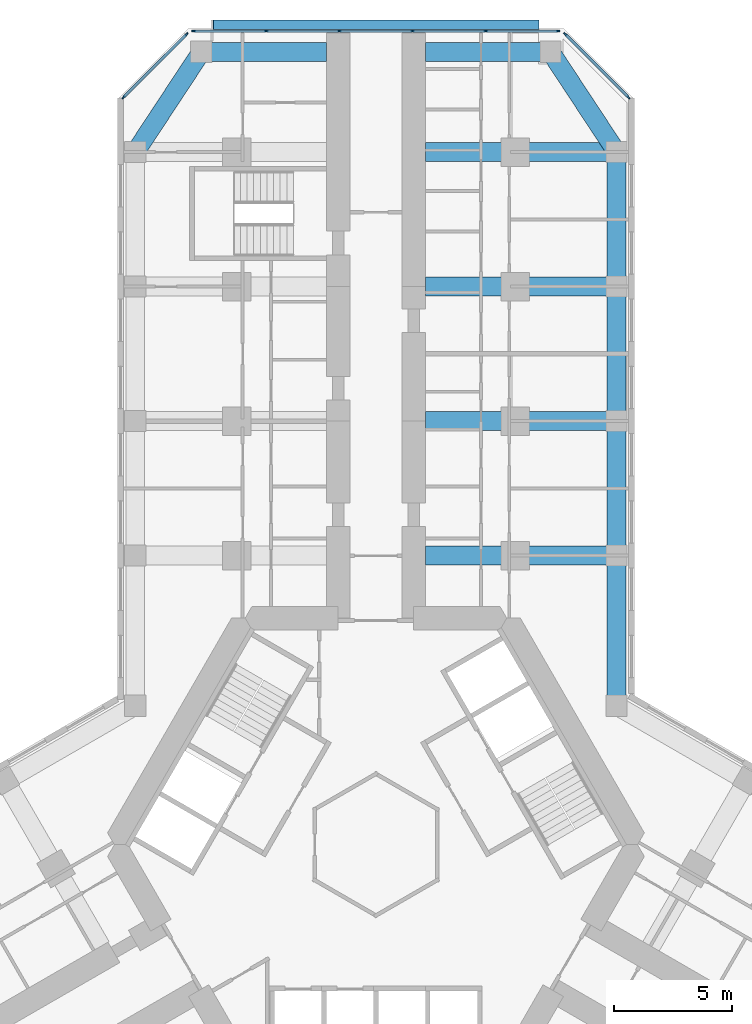
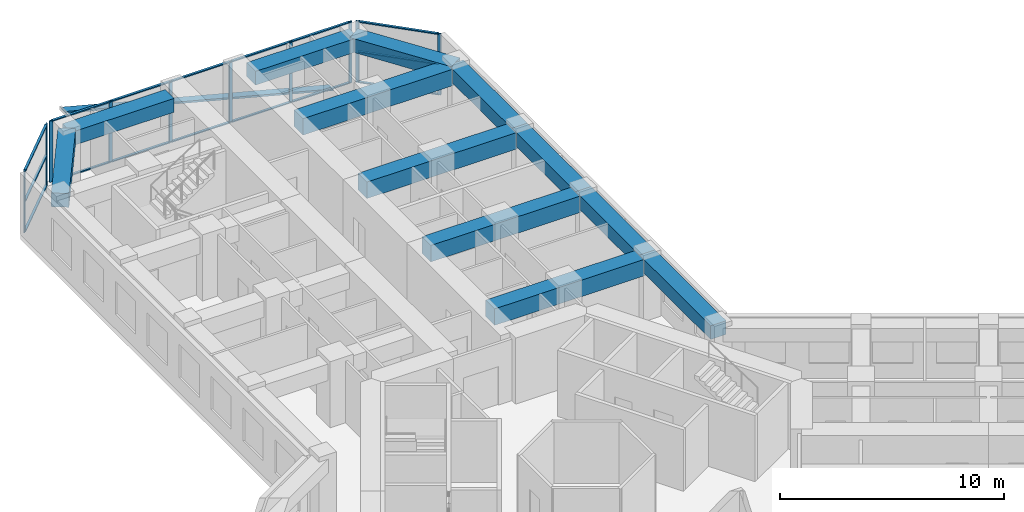
# One storey, part 7 of 21: 27 members, 12 beams, 3 elements without a shape of their own.
"""IFC4 building model written with IfcOpenShell, lengths in metres."""

from ifc_helpers import new_model, si_unit, direction, frame, origin, origin_2d, place, context, subcontext, project, spatial, rectangle, extrude, material, material_profile, profile_set, type_object, element, aggregate, save


model = new_model("IFC4")

# Units and contexts
model_context = context("Model", 3, precision=1e-05, world=origin(), true_north=direction((0.0, 1.0)))
body_context = subcontext(model_context, "Body", "Model", "MODEL_VIEW")
ifc_project = project(units=[si_unit("LENGTHUNIT", "METRE"), si_unit("AREAUNIT", "SQUARE_METRE"), si_unit("VOLUMEUNIT", "CUBIC_METRE"), si_unit("PLANEANGLEUNIT", "RADIAN"), si_unit("MASSUNIT", "GRAM", prefix="KILO")], contexts=[model_context])

# Site, building, storey
site_placement = place(None, origin())
site = spatial("IfcSite", under=ifc_project, at=site_placement, CompositionType="ELEMENT")
building_placement = place(site_placement, origin())
building = spatial("IfcBuilding", under=site, at=building_placement, Name="Kosmar Iwan School Tower", CompositionType="ELEMENT")
storey_placement = place(building_placement, frame((0.0, 0.0, 84.39990234375)))
storey = spatial("IfcBuildingStorey", under=building, at=storey_placement, Name="L20", CompositionType="ELEMENT", Elevation=84.39990234375)

# Member
ifc_material_1 = material(Name="Black anodised aluminium", Category="aluminium")
ifc_material_profile_1 = material_profile(ifc_material_1, rectangle(XDim=0.10009765625, YDim=0.39990234375, at=origin_2d()), Name="FIN 100x400")
ifc_profile_set_1 = profile_set([ifc_material_profile_1], Name="Black anodised aluminium")
member_type_1 = type_object("IfcMemberType", Name="Diagonal fin 100x400", PredefinedType="USERDEFINED", material=ifc_profile_set_1)
member_1_placement = place(storey_placement, frame((6.898193359375, 34.75, -0.14990234375), z_axis=(-0.967599450335, 0.0, 0.252490205179), x_axis=(0.252490205179, 0.0, 0.967599450335)))
element("IfcMember", 1, at=member_1_placement, inside=storey, type_object=member_type_1, Name="Diagonal fin L20-F08", ObjectType="FIN", PredefinedType="USERDEFINED", context=body_context, shape_type="SweptSolid", body=[
    extrude(rectangle(XDim=0.10009765625, YDim=0.39990234375, at=origin_2d()), origin(), (0.0, 0.0, 1.0), 14.25830078125),
])

# Curtain wall, members
ifc_material_2 = material(Name="Dark glass in black aluminium frame", Category="aluminium")
curtain_wall_type_1 = type_object("IfcCurtainWallType", Name="Chamfer curtain wall dark glass", PredefinedType="USERDEFINED", material=ifc_material_2)
curtain_wall_1_placement = place(storey_placement, origin())
curtain_wall_1 = element("IfcCurtainWall", 2, at=curtain_wall_1_placement, inside=storey, type_object=curtain_wall_type_1, Name="Curtain wall L20-F07", ObjectType="FACETED CURTAIN WALL", PredefinedType="USERDEFINED")
ifc_material_3 = material(Name="Black anodised aluminium", Category="aluminium")
ifc_material_profile_2 = material_profile(ifc_material_3, rectangle(XDim=0.06005859375, YDim=0.159912109375, at=origin_2d()), Name="MULLION 60x160")
ifc_profile_set_2 = profile_set([ifc_material_profile_2], Name="Black anodised aluminium")
member_type_2 = type_object("IfcMemberType", Name="Mullion 60x160", PredefinedType="MULLION", material=ifc_profile_set_2)
member_2_placement = place(storey_placement, frame((10.69775390625, 31.675537109375, 0.0), z_axis=(0.0, 0.0, 1.0), x_axis=(-0.707106781187, -0.707106781187, 0.0)))
member_2 = element("IfcMember", 3, at=member_2_placement, type_object=member_type_2, Name="CW2 mullion 1", PredefinedType="MULLION", context=body_context, shape_type="SweptSolid", body=[
    extrude(rectangle(XDim=0.06005859375, YDim=0.159912109375, at=origin_2d()), origin(), (0.0, 0.0, 1.0), 3.35009765625),
])
member_3_placement = place(storey_placement, frame((8.025390625, 34.34765625, 0.0), z_axis=(0.0, 0.0, 1.0), x_axis=(-0.707106781187, -0.707106781187, 0.0)))
member_3 = element("IfcMember", 4, at=member_3_placement, type_object=member_type_2, Name="CW2 mullion 2", PredefinedType="MULLION", context=body_context, shape_type="SweptSolid", body=[
    extrude(rectangle(XDim=0.06005859375, YDim=0.159912109375, at=origin_2d()), origin(), (0.0, 0.0, 1.0), 3.35009765625),
])

ifc_material_4 = material(Name="Dark glass in black aluminium frame", Category="aluminium")
curtain_wall_type_2 = type_object("IfcCurtainWallType", Name="Tower curtain wall dark glass", PredefinedType="USERDEFINED", material=ifc_material_4)
curtain_wall_2_placement = place(storey_placement, origin())
curtain_wall_2 = element("IfcCurtainWall", 5, at=curtain_wall_2_placement, inside=storey, type_object=curtain_wall_type_2, Name="Curtain wall L20-F08", ObjectType="UNITISED CURTAIN WALL", PredefinedType="USERDEFINED")
member_4_placement = place(storey_placement, frame((7.71826171875, 34.47509765625, 0.0), z_axis=(0.0, 0.0, 1.0), x_axis=(0.0, -1.0, 0.0)))
member_4 = element("IfcMember", 6, at=member_4_placement, type_object=member_type_2, Name="CW1 mullion 1", PredefinedType="MULLION", context=body_context, shape_type="SweptSolid", body=[
    extrude(rectangle(XDim=0.06005859375, YDim=0.159912109375, at=origin_2d()), origin(), (0.0, 0.0, 1.0), 3.35009765625),
])
member_5_placement = place(storey_placement, frame((4.64892578125, 34.47509765625, 0.0), z_axis=(0.0, 0.0, 1.0), x_axis=(0.0, -1.0, 0.0)))
member_5 = element("IfcMember", 7, at=member_5_placement, type_object=member_type_2, Name="CW1 mullion 2", PredefinedType="MULLION", context=body_context, shape_type="SweptSolid", body=[
    extrude(rectangle(XDim=0.06005859375, YDim=0.159912109375, at=origin_2d()), origin(), (0.0, 0.0, 1.0), 3.35009765625),
])
member_6_placement = place(storey_placement, frame((1.549560546875, 34.47509765625, 0.0), z_axis=(0.0, 0.0, 1.0), x_axis=(0.0, -1.0, 0.0)))
member_6 = element("IfcMember", 8, at=member_6_placement, type_object=member_type_2, Name="CW1 mullion 3", PredefinedType="MULLION", context=body_context, shape_type="SweptSolid", body=[
    extrude(rectangle(XDim=0.06005859375, YDim=0.159912109375, at=origin_2d()), origin(), (0.0, 0.0, 1.0), 3.35009765625),
])
member_7_placement = place(storey_placement, frame((-1.549560546875, 34.47509765625, 0.0), z_axis=(0.0, 0.0, 1.0), x_axis=(0.0, -1.0, 0.0)))
member_7 = element("IfcMember", 9, at=member_7_placement, type_object=member_type_2, Name="CW1 mullion 4", PredefinedType="MULLION", context=body_context, shape_type="SweptSolid", body=[
    extrude(rectangle(XDim=0.06005859375, YDim=0.159912109375, at=origin_2d()), origin(), (0.0, 0.0, 1.0), 3.35009765625),
])
member_8_placement = place(storey_placement, frame((-4.64892578125, 34.47509765625, 0.0), z_axis=(0.0, 0.0, 1.0), x_axis=(0.0, -1.0, 0.0)))
member_8 = element("IfcMember", 10, at=member_8_placement, type_object=member_type_2, Name="CW1 mullion 5", PredefinedType="MULLION", context=body_context, shape_type="SweptSolid", body=[
    extrude(rectangle(XDim=0.06005859375, YDim=0.159912109375, at=origin_2d()), origin(), (0.0, 0.0, 1.0), 3.35009765625),
])
member_9_placement = place(storey_placement, frame((-7.71826171875, 34.47509765625, 0.0), z_axis=(0.0, 0.0, 1.0), x_axis=(0.0, -1.0, 0.0)))
member_9 = element("IfcMember", 11, at=member_9_placement, type_object=member_type_2, Name="CW1 mullion 6", PredefinedType="MULLION", context=body_context, shape_type="SweptSolid", body=[
    extrude(rectangle(XDim=0.06005859375, YDim=0.159912109375, at=origin_2d()), origin(), (0.0, 0.0, 1.0), 3.35009765625),
])

curtain_wall_3_placement = place(storey_placement, origin())
curtain_wall_3 = element("IfcCurtainWall", 12, at=curtain_wall_3_placement, inside=storey, type_object=curtain_wall_type_1, Name="Curtain wall L20-F09", ObjectType="FACETED CURTAIN WALL", PredefinedType="USERDEFINED")
member_10_placement = place(storey_placement, frame((-8.025390625, 34.34765625, 0.0), z_axis=(0.0, 0.0, 1.0), x_axis=(0.707106781187, -0.707106781187, 0.0)))
member_10 = element("IfcMember", 13, at=member_10_placement, type_object=member_type_2, Name="CW2 mullion 1", PredefinedType="MULLION", context=body_context, shape_type="SweptSolid", body=[
    extrude(rectangle(XDim=0.06005859375, YDim=0.159912109375, at=origin_2d()), origin(), (0.0, 0.0, 1.0), 3.35009765625),
])
member_11_placement = place(storey_placement, frame((-10.69775390625, 31.675537109375, 0.0), z_axis=(0.0, 0.0, 1.0), x_axis=(0.707106781187, -0.707106781187, 0.0)))
member_11 = element("IfcMember", 14, at=member_11_placement, type_object=member_type_2, Name="CW2 mullion 2", PredefinedType="MULLION", context=body_context, shape_type="SweptSolid", body=[
    extrude(rectangle(XDim=0.06005859375, YDim=0.159912109375, at=origin_2d()), origin(), (0.0, 0.0, 1.0), 3.35009765625),
])

# Beams
ifc_material_5 = material(Name="Concrete C50/60", Category="concrete")
ifc_material_profile_3 = material_profile(ifc_material_5, rectangle(XDim=0.800048828125, YDim=0.75, at=origin_2d()), Name="RC 800x750")
ifc_profile_set_3 = profile_set([ifc_material_profile_3], Name="Concrete C50/60")
beam_type_1 = type_object("IfcBeamType", Name="RC edge beam 800x750", PredefinedType="BEAM", material=ifc_profile_set_3)
beam_1_placement = place(storey_placement, frame((10.199951171875, 5.888916015625, 2.97509765625), z_axis=(0.0, 1.0, 0.0), x_axis=(-1.0, 0.0, 0.0)))
element("IfcBeam", 15, at=beam_1_placement, inside=storey, type_object=beam_type_1, Name="Edge beam AR1", PredefinedType="BEAM", context=body_context, shape_type="SweptSolid", body=[
    extrude(rectangle(XDim=0.800048828125, YDim=0.75, at=origin_2d()), origin(), (0.0, 0.0, 1.0), 6.361083984375),
])
for number, where, z_axis, x_axis, name in (
    (16, (10.199951171875, 12.25, 2.97509765625), (0.0, 1.0, 0.0), (-1.0, 0.0, 0.0), "Edge beam AR2"),
    (17, (10.199951171875, 17.949951171875, 2.97509765625), (0.0, 1.0, 0.0), (-1.0, 0.0, 0.0), "Edge beam AR3"),
):
    element("IfcBeam", number, at=place(storey_placement, frame(where, z_axis=z_axis, x_axis=x_axis)), inside=storey, type_object=beam_type_1, Name=name, PredefinedType="BEAM", context=body_context, shape_type="SweptSolid", body=[
        extrude(rectangle(XDim=0.800048828125, YDim=0.75, at=origin_2d()), origin(), (0.0, 0.0, 1.0), 5.699951171875),
    ])
beam_2_placement = place(storey_placement, frame((10.199951171875, 23.64990234375, 2.97509765625), z_axis=(0.0, 1.0, 0.0), x_axis=(-1.0, 0.0, 0.0)))
element("IfcBeam", 18, at=beam_2_placement, inside=storey, type_object=beam_type_1, Name="Edge beam AR4", PredefinedType="BEAM", context=body_context, shape_type="SweptSolid", body=[
    extrude(rectangle(XDim=0.800048828125, YDim=0.75, at=origin_2d()), origin(), (0.0, 0.0, 1.0), 5.7001953125),
])
ifc_material_6 = material(Name="Concrete C50/60", Category="concrete")
ifc_material_profile_4 = material_profile(ifc_material_6, rectangle(XDim=0.800048828125, YDim=0.75, at=origin_2d()), Name="RC 800x750")
ifc_profile_set_4 = profile_set([ifc_material_profile_4], Name="Concrete C50/60")
beam_type_2 = type_object("IfcBeamType", Name="RC tip beam 800x750", PredefinedType="BEAM", material=ifc_profile_set_4)
beam_3_placement = place(storey_placement, frame((-10.199951171875, 29.35009765625, 2.97509765625), z_axis=(0.550164383043, 0.835056376319, 0.0), x_axis=(-0.835056376319, 0.550164383043, 0.0)))
element("IfcBeam", 19, at=beam_3_placement, inside=storey, type_object=beam_type_2, Name="Tip beam AL", PredefinedType="BEAM", context=body_context, shape_type="SweptSolid", body=[
    extrude(rectangle(XDim=0.800048828125, YDim=0.75, at=origin_2d()), origin(), (0.0, 0.0, 1.0), 5.08935546875),
])
beam_4_placement = place(storey_placement, frame((-7.39990234375, 33.60009765625, 2.97509765625), z_axis=(1.0, 0.0, 0.0), x_axis=(0.0, 1.0, 0.0)))
element("IfcBeam", 20, at=beam_4_placement, inside=storey, type_object=beam_type_2, Name="Tip beam AL to corridor wall", PredefinedType="BEAM", context=body_context, shape_type="SweptSolid", body=[
    extrude(rectangle(XDim=0.800048828125, YDim=0.75, at=origin_2d()), origin(), (0.0, 0.0, 1.0), 5.2998046875),
])
beam_5_placement = place(storey_placement, frame((10.199951171875, 29.35009765625, 2.97509765625), z_axis=(-0.550164383043, 0.835056376319, 0.0), x_axis=(-0.835056376319, -0.550164383043, 0.0)))
element("IfcBeam", 21, at=beam_5_placement, inside=storey, type_object=beam_type_2, Name="Tip beam AR", PredefinedType="BEAM", context=body_context, shape_type="SweptSolid", body=[
    extrude(rectangle(XDim=0.800048828125, YDim=0.75, at=origin_2d()), origin(), (0.0, 0.0, 1.0), 5.08935546875),
])
beam_6_placement = place(storey_placement, frame((7.39990234375, 33.60009765625, 2.97509765625), z_axis=(-1.0, 0.0, 0.0), x_axis=(0.0, -1.0, 0.0)))
element("IfcBeam", 22, at=beam_6_placement, inside=storey, type_object=beam_type_2, Name="Tip beam AR to corridor wall", PredefinedType="BEAM", context=body_context, shape_type="SweptSolid", body=[
    extrude(rectangle(XDim=0.800048828125, YDim=0.75, at=origin_2d()), origin(), (0.0, 0.0, 1.0), 5.2998046875),
])
ifc_material_7 = material(Name="Concrete C50/60", Category="concrete")
ifc_material_profile_5 = material_profile(ifc_material_7, rectangle(XDim=0.800048828125, YDim=0.89990234375, at=origin_2d()), Name="RC 800x900")
ifc_profile_set_5 = profile_set([ifc_material_profile_5], Name="Concrete C50/60")
beam_type_3 = type_object("IfcBeamType", Name="RC transverse beam 800x900", PredefinedType="BEAM", material=ifc_profile_set_5)
for number, where, z_axis, x_axis, name in (
    (23, (10.199951171875, 12.25, 2.900146484375), (-1.0, 0.0, 0.0), (0.0, -1.0, 0.0), "Transverse beam AR1"),
    (24, (10.199951171875, 17.949951171875, 2.900146484375), (-1.0, 0.0, 0.0), (0.0, -1.0, 0.0), "Transverse beam AR2"),
    (25, (10.199951171875, 23.64990234375, 2.900146484375), (-1.0, 0.0, 0.0), (0.0, -1.0, 0.0), "Transverse beam AR3"),
    (26, (10.199951171875, 29.35009765625, 2.900146484375), (-1.0, 0.0, 0.0), (0.0, -1.0, 0.0), "Transverse beam AR4"),
):
    element("IfcBeam", number, at=place(storey_placement, frame(where, z_axis=z_axis, x_axis=x_axis)), inside=storey, type_object=beam_type_3, Name=name, PredefinedType="BEAM", context=body_context, shape_type="SweptSolid", body=[
        extrude(rectangle(XDim=0.800048828125, YDim=0.89990234375, at=origin_2d()), origin(), (0.0, 0.0, 1.0), 8.099853515625),
    ])

# Member
ifc_material_8 = material(Name="Black anodised aluminium", Category="aluminium")
ifc_material_profile_6 = material_profile(ifc_material_8, rectangle(XDim=0.1201171875, YDim=0.06005859375, at=origin_2d()), Name="TRANSOM 60x120")
ifc_profile_set_6 = profile_set([ifc_material_profile_6], Name="Black anodised aluminium")
member_type_3 = type_object("IfcMemberType", Name="Transom 60x120", PredefinedType="USERDEFINED", material=ifc_profile_set_6)
member_12_placement = place(storey_placement, frame((10.676513671875, 31.69677734375, 0.030029296875), z_axis=(-0.707139603466, 0.707073957383, 0.0), x_axis=(-0.707073957383, -0.707139603466, 0.0)))
member_12 = element("IfcMember", 27, at=member_12_placement, type_object=member_type_3, Name="CW2 transom 1.1", ObjectType="TRANSOM", PredefinedType="USERDEFINED", context=body_context, shape_type="SweptSolid", body=[
    extrude(rectangle(XDim=0.1201171875, YDim=0.06005859375, at=origin_2d()), origin(), (0.0, 0.0, 1.0), 3.718994140625),
])

member_13_placement = place(storey_placement, frame((10.676513671875, 31.69677734375, 1.675048828125), z_axis=(-0.707139603466, 0.707073957383, 0.0), x_axis=(-0.707073957383, -0.707139603466, 0.0)))
member_13 = element("IfcMember", 28, at=member_13_placement, type_object=member_type_3, Name="CW2 transom 1.2", ObjectType="TRANSOM", PredefinedType="USERDEFINED", context=body_context, shape_type="SweptSolid", body=[
    extrude(rectangle(XDim=0.1201171875, YDim=0.06005859375, at=origin_2d()), origin(), (0.0, 0.0, 1.0), 3.718994140625),
])

member_14_placement = place(storey_placement, frame((10.676513671875, 31.69677734375, 3.320068359375), z_axis=(-0.707139603466, 0.707073957383, 0.0), x_axis=(-0.707073957383, -0.707139603466, 0.0)))
member_14 = element("IfcMember", 29, at=member_14_placement, type_object=member_type_3, Name="CW2 transom 1.3", ObjectType="TRANSOM", PredefinedType="USERDEFINED", context=body_context, shape_type="SweptSolid", body=[
    extrude(rectangle(XDim=0.1201171875, YDim=0.06005859375, at=origin_2d()), origin(), (0.0, 0.0, 1.0), 3.718994140625),
])

aggregate(curtain_wall_1, [member_2, member_3, member_12, member_13, member_14])

member_15_placement = place(storey_placement, frame((7.688232421875, 34.47509765625, 0.030029296875), z_axis=(-1.0, 0.0, 0.0), x_axis=(0.0, -1.0, 0.0)))
member_15 = element("IfcMember", 30, at=member_15_placement, type_object=member_type_3, Name="CW1 transom 1.1", ObjectType="TRANSOM", PredefinedType="USERDEFINED", context=body_context, shape_type="SweptSolid", body=[
    extrude(rectangle(XDim=0.1201171875, YDim=0.06005859375, at=origin_2d()), origin(), (0.0, 0.0, 1.0), 3.00927734375),
])

member_16_placement = place(storey_placement, frame((7.688232421875, 34.47509765625, 3.320068359375), z_axis=(-1.0, 0.0, 0.0), x_axis=(0.0, -1.0, 0.0)))
member_16 = element("IfcMember", 31, at=member_16_placement, type_object=member_type_3, Name="CW1 transom 1.2", ObjectType="TRANSOM", PredefinedType="USERDEFINED", context=body_context, shape_type="SweptSolid", body=[
    extrude(rectangle(XDim=0.1201171875, YDim=0.06005859375, at=origin_2d()), origin(), (0.0, 0.0, 1.0), 3.00927734375),
])

member_17_placement = place(storey_placement, frame((4.618896484375, 34.47509765625, 0.030029296875), z_axis=(-1.0, 0.0, 0.0), x_axis=(0.0, -1.0, 0.0)))
member_17 = element("IfcMember", 32, at=member_17_placement, type_object=member_type_3, Name="CW1 transom 2.1", ObjectType="TRANSOM", PredefinedType="USERDEFINED", context=body_context, shape_type="SweptSolid", body=[
    extrude(rectangle(XDim=0.1201171875, YDim=0.06005859375, at=origin_2d()), origin(), (0.0, 0.0, 1.0), 3.039306640625),
])

member_18_placement = place(storey_placement, frame((4.618896484375, 34.47509765625, 3.320068359375), z_axis=(-1.0, 0.0, 0.0), x_axis=(0.0, -1.0, 0.0)))
member_18 = element("IfcMember", 33, at=member_18_placement, type_object=member_type_3, Name="CW1 transom 2.2", ObjectType="TRANSOM", PredefinedType="USERDEFINED", context=body_context, shape_type="SweptSolid", body=[
    extrude(rectangle(XDim=0.1201171875, YDim=0.06005859375, at=origin_2d()), origin(), (0.0, 0.0, 1.0), 3.039306640625),
])

member_19_placement = place(storey_placement, frame((1.51953125, 34.47509765625, 0.030029296875), z_axis=(-1.0, 0.0, 0.0), x_axis=(0.0, -1.0, 0.0)))
member_19 = element("IfcMember", 34, at=member_19_placement, type_object=member_type_3, Name="CW1 transom 3.1", ObjectType="TRANSOM", PredefinedType="USERDEFINED", context=body_context, shape_type="SweptSolid", body=[
    extrude(rectangle(XDim=0.1201171875, YDim=0.06005859375, at=origin_2d()), origin(), (0.0, 0.0, 1.0), 3.0390625),
])

member_20_placement = place(storey_placement, frame((1.51953125, 34.47509765625, 3.320068359375), z_axis=(-1.0, 0.0, 0.0), x_axis=(0.0, -1.0, 0.0)))
member_20 = element("IfcMember", 35, at=member_20_placement, type_object=member_type_3, Name="CW1 transom 3.2", ObjectType="TRANSOM", PredefinedType="USERDEFINED", context=body_context, shape_type="SweptSolid", body=[
    extrude(rectangle(XDim=0.1201171875, YDim=0.06005859375, at=origin_2d()), origin(), (0.0, 0.0, 1.0), 3.0390625),
])

member_21_placement = place(storey_placement, frame((-1.57958984375, 34.47509765625, 0.030029296875), z_axis=(-1.0, 0.0, 0.0), x_axis=(0.0, -1.0, 0.0)))
member_21 = element("IfcMember", 36, at=member_21_placement, type_object=member_type_3, Name="CW1 transom 4.1", ObjectType="TRANSOM", PredefinedType="USERDEFINED", context=body_context, shape_type="SweptSolid", body=[
    extrude(rectangle(XDim=0.1201171875, YDim=0.06005859375, at=origin_2d()), origin(), (0.0, 0.0, 1.0), 3.039306640625),
])

member_22_placement = place(storey_placement, frame((-1.57958984375, 34.47509765625, 3.320068359375), z_axis=(-1.0, 0.0, 0.0), x_axis=(0.0, -1.0, 0.0)))
member_22 = element("IfcMember", 37, at=member_22_placement, type_object=member_type_3, Name="CW1 transom 4.2", ObjectType="TRANSOM", PredefinedType="USERDEFINED", context=body_context, shape_type="SweptSolid", body=[
    extrude(rectangle(XDim=0.1201171875, YDim=0.06005859375, at=origin_2d()), origin(), (0.0, 0.0, 1.0), 3.039306640625),
])

member_23_placement = place(storey_placement, frame((-4.678955078125, 34.47509765625, 0.030029296875), z_axis=(-1.0, 0.0, 0.0), x_axis=(0.0, -1.0, 0.0)))
member_23 = element("IfcMember", 38, at=member_23_placement, type_object=member_type_3, Name="CW1 transom 5.1", ObjectType="TRANSOM", PredefinedType="USERDEFINED", context=body_context, shape_type="SweptSolid", body=[
    extrude(rectangle(XDim=0.1201171875, YDim=0.06005859375, at=origin_2d()), origin(), (0.0, 0.0, 1.0), 3.00927734375),
])

member_24_placement = place(storey_placement, frame((-4.678955078125, 34.47509765625, 3.320068359375), z_axis=(-1.0, 0.0, 0.0), x_axis=(0.0, -1.0, 0.0)))
member_24 = element("IfcMember", 39, at=member_24_placement, type_object=member_type_3, Name="CW1 transom 5.2", ObjectType="TRANSOM", PredefinedType="USERDEFINED", context=body_context, shape_type="SweptSolid", body=[
    extrude(rectangle(XDim=0.1201171875, YDim=0.06005859375, at=origin_2d()), origin(), (0.0, 0.0, 1.0), 3.00927734375),
])

aggregate(curtain_wall_2, [member_4, member_5, member_6, member_7, member_8, member_9, member_15, member_16, member_17, member_18, member_19, member_20, member_21, member_22, member_23, member_24])

member_25_placement = place(storey_placement, frame((-8.046630859375, 34.326416015625, 0.030029296875), z_axis=(-0.707139603466, -0.707073957383, 0.0), x_axis=(0.707073957383, -0.707139603466, 0.0)))
member_25 = element("IfcMember", 40, at=member_25_placement, type_object=member_type_3, Name="CW2 transom 1.1", ObjectType="TRANSOM", PredefinedType="USERDEFINED", context=body_context, shape_type="SweptSolid", body=[
    extrude(rectangle(XDim=0.1201171875, YDim=0.06005859375, at=origin_2d()), origin(), (0.0, 0.0, 1.0), 3.718994140625),
])

member_26_placement = place(storey_placement, frame((-8.046630859375, 34.326416015625, 1.675048828125), z_axis=(-0.707139603466, -0.707073957383, 0.0), x_axis=(0.707073957383, -0.707139603466, 0.0)))
member_26 = element("IfcMember", 41, at=member_26_placement, type_object=member_type_3, Name="CW2 transom 1.2", ObjectType="TRANSOM", PredefinedType="USERDEFINED", context=body_context, shape_type="SweptSolid", body=[
    extrude(rectangle(XDim=0.1201171875, YDim=0.06005859375, at=origin_2d()), origin(), (0.0, 0.0, 1.0), 3.718994140625),
])

member_27_placement = place(storey_placement, frame((-8.046630859375, 34.326416015625, 3.320068359375), z_axis=(-0.707139603466, -0.707073957383, 0.0), x_axis=(0.707073957383, -0.707139603466, 0.0)))
member_27 = element("IfcMember", 42, at=member_27_placement, type_object=member_type_3, Name="CW2 transom 1.3", ObjectType="TRANSOM", PredefinedType="USERDEFINED", context=body_context, shape_type="SweptSolid", body=[
    extrude(rectangle(XDim=0.1201171875, YDim=0.06005859375, at=origin_2d()), origin(), (0.0, 0.0, 1.0), 3.718994140625),
])

aggregate(curtain_wall_3, [member_10, member_11, member_25, member_26, member_27])

save(model, "model.ifc")
